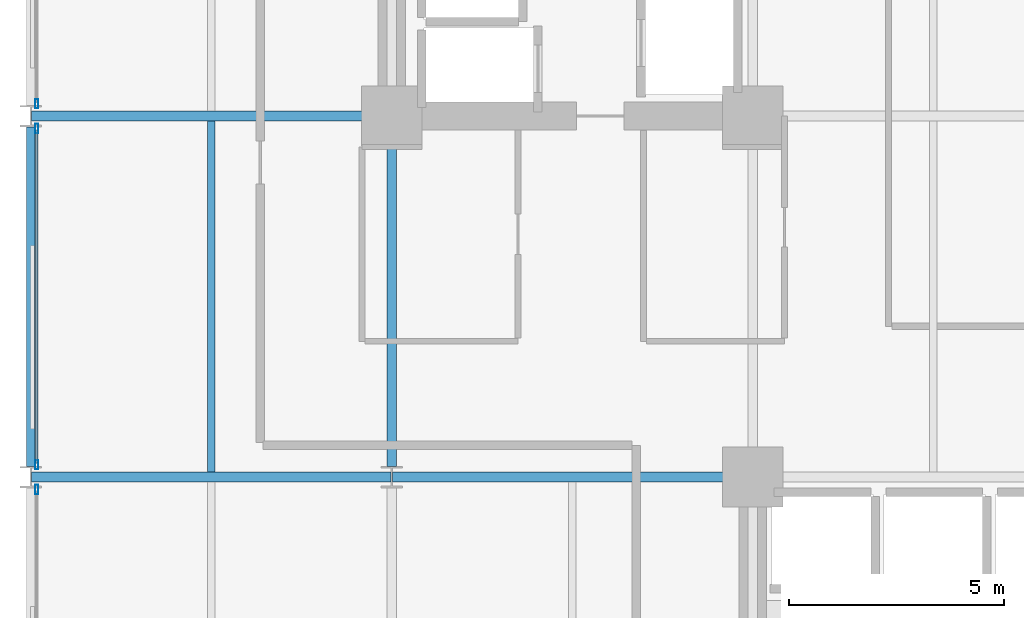
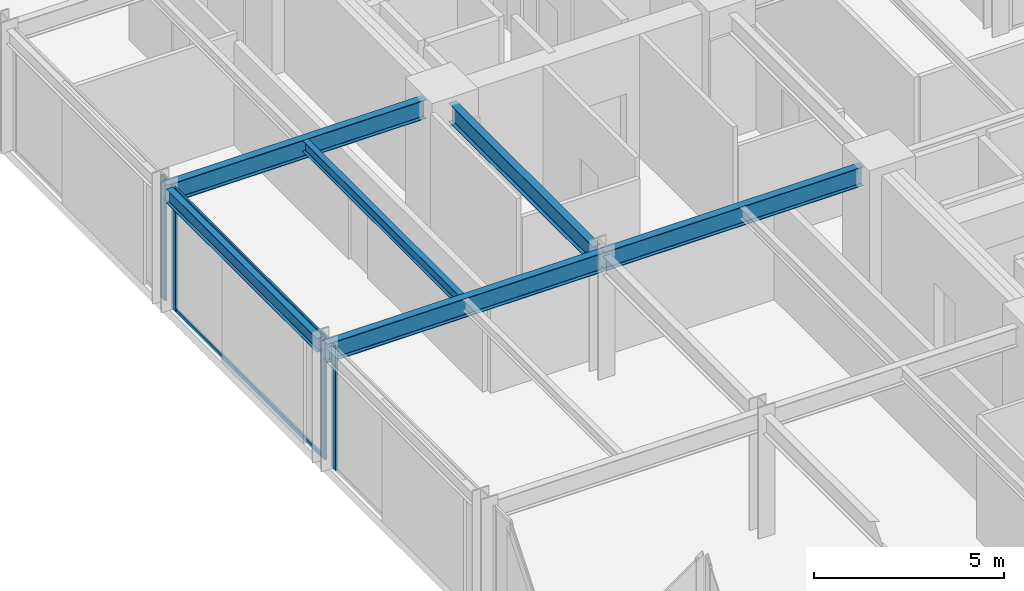
# One storey, part 6 of 25: 6 beams, 6 members, 3 elements without a shape of their own.
"""IFC4 building model written with IfcOpenShell, lengths in metres."""

from ifc_helpers import new_model, si_unit, direction, frame, origin, origin_2d, place, context, subcontext, project, spatial, hollow_rectangle, i_section, extrude, material, layer, layer_set, material_profile, profile_set, type_object, element, aggregate, save


model = new_model("IFC4")

# Units and contexts
model_context = context("Model", 3, precision=1e-05, world=origin(), true_north=direction((0.0, 1.0)))
body_context = subcontext(model_context, "Body", "Model", "MODEL_VIEW")
ifc_project = project(units=[si_unit("LENGTHUNIT", "METRE"), si_unit("AREAUNIT", "SQUARE_METRE"), si_unit("VOLUMEUNIT", "CUBIC_METRE"), si_unit("PLANEANGLEUNIT", "RADIAN"), si_unit("MASSUNIT", "GRAM", prefix="KILO")], contexts=[model_context])

# Site, building, storey
site_placement = place(None, origin())
site = spatial("IfcSite", under=ifc_project, at=site_placement, CompositionType="ELEMENT")
building_placement = place(site_placement, origin())
building = spatial("IfcBuilding", under=site, at=building_placement, Name="Nerrivon Quay Data Exchange", CompositionType="ELEMENT")
storey_placement = place(building_placement, frame((0.0, 0.0, 58.39990234375)))
storey = spatial("IfcBuildingStorey", under=building, at=storey_placement, Name="L13", CompositionType="ELEMENT", Elevation=58.39990234375)

# Beams
ifc_material_1 = material(Name="Steel Grade 350", Category="steel")
ifc_material_profile_1 = material_profile(ifc_material_1, i_section(OverallWidth=0.22900390625, OverallDepth=0.612060546875, WebThickness=0.011962890625, FlangeThickness=0.01953125, FilletRadius=0.013916015625, at=origin_2d()), Name="610UB125")
ifc_profile_set_1 = profile_set([ifc_material_profile_1], Name="Steel Grade 350")
beam_type_1 = type_object("IfcBeamType", Name="BM-G1-610UB125", PredefinedType="BEAM", material=ifc_profile_set_1)
beam_1_placement = place(storey_placement, frame((0.013916015625, 16.800048828125, 3.619140625), z_axis=(1.0, 0.0, 0.0), x_axis=(0.0, 1.0, 0.0)))
element("IfcBeam", 1, at=beam_1_placement, inside=storey, type_object=beam_type_1, Name="L13 EW Girder Y=16.8 (0.0..8.4)", PredefinedType="BEAM", context=body_context, shape_type="SweptSolid", body=[
    extrude(i_section(OverallWidth=0.22900390625, OverallDepth=0.612060546875, WebThickness=0.011962890625, FlangeThickness=0.01953125, FilletRadius=0.013916015625, at=origin_2d()), origin(), (0.0, 0.0, 1.0), 8.3720703125),
])
beam_2_placement = place(storey_placement, frame((8.4140625, 16.800048828125, 3.619140625), z_axis=(1.0, 0.0, 0.0), x_axis=(0.0, 1.0, 0.0)))
element("IfcBeam", 2, at=beam_2_placement, inside=storey, type_object=beam_type_1, Name="L13 EW Girder Y=16.8 (8.4..16.8)", PredefinedType="BEAM", context=body_context, shape_type="SweptSolid", body=[
    extrude(i_section(OverallWidth=0.22900390625, OverallDepth=0.612060546875, WebThickness=0.011962890625, FlangeThickness=0.01953125, FilletRadius=0.013916015625, at=origin_2d()), origin(), (0.0, 0.0, 1.0), 7.845947265625),
])
beam_3_placement = place(storey_placement, frame((0.013916015625, 25.199951171875, 3.619140625), z_axis=(1.0, 0.0, 0.0), x_axis=(0.0, 1.0, 0.0)))
element("IfcBeam", 3, at=beam_3_placement, inside=storey, type_object=beam_type_1, Name="L13 EW Girder Y=25.2 (0.0..8.4)", PredefinedType="BEAM", context=body_context, shape_type="SweptSolid", body=[
    extrude(i_section(OverallWidth=0.22900390625, OverallDepth=0.612060546875, WebThickness=0.011962890625, FlangeThickness=0.01953125, FilletRadius=0.013916015625, at=origin_2d()), origin(), (0.0, 0.0, 1.0), 7.84619140625),
])
ifc_material_profile_2 = material_profile(ifc_material_1, i_section(OverallWidth=0.22802734375, OverallDepth=0.60205078125, WebThickness=0.010498046875, FlangeThickness=0.014892578125, FilletRadius=0.013916015625, at=origin_2d()), Name="610UB101")
ifc_profile_set_2 = profile_set([ifc_material_profile_2], Name="Steel Grade 350")
beam_type_2 = type_object("IfcBeamType", Name="BM-G2-610UB101", PredefinedType="BEAM", material=ifc_profile_set_2)
beam_4_placement = place(storey_placement, frame((8.39990234375, 17.050048828125, 3.6240234375), z_axis=(0.0, 1.0, 0.0), x_axis=(-1.0, 0.0, 0.0)))
element("IfcBeam", 4, at=beam_4_placement, inside=storey, type_object=beam_type_2, Name="L13 NS Girder X=8.4 (16.8..25.2)", PredefinedType="BEAM", context=body_context, shape_type="SweptSolid", body=[
    extrude(i_section(OverallWidth=0.22802734375, OverallDepth=0.60205078125, WebThickness=0.010498046875, FlangeThickness=0.014892578125, FilletRadius=0.013916015625, at=origin_2d()), origin(), (0.0, 0.0, 1.0), 7.60986328125),
])
ifc_material_profile_3 = material_profile(ifc_material_1, i_section(OverallWidth=0.172119140625, OverallDepth=0.35888671875, WebThickness=0.008056640625, FlangeThickness=0.012939453125, FilletRadius=0.011474609375, at=origin_2d()), Name="360UB56.7")
ifc_profile_set_3 = profile_set([ifc_material_profile_3], Name="Steel Grade 350")
beam_type_3 = type_object("IfcBeamType", Name="BM-J3-360UB57", PredefinedType="JOIST", material=ifc_profile_set_3)
beam_5_placement = place(storey_placement, frame((4.199951171875, 16.91455078125, 3.74560546875), z_axis=(0.0, 1.0, 0.0), x_axis=(-1.0, 0.0, 0.0)))
element("IfcBeam", 5, at=beam_5_placement, inside=storey, type_object=beam_type_3, Name="L13 Secondary Joist X=4.2 (16.8..25.2)", PredefinedType="JOIST", context=body_context, shape_type="SweptSolid", body=[
    extrude(i_section(OverallWidth=0.172119140625, OverallDepth=0.35888671875, WebThickness=0.008056640625, FlangeThickness=0.012939453125, FilletRadius=0.011474609375, at=origin_2d()), origin(), (0.0, 0.0, 1.0), 8.1708984375),
])
ifc_material_profile_4 = material_profile(ifc_material_1, i_section(OverallWidth=0.18994140625, OverallDepth=0.4541015625, WebThickness=0.008544921875, FlangeThickness=0.0126953125, FilletRadius=0.011474609375, at=origin_2d()), Name="460UB67.1")
ifc_profile_set_4 = profile_set([ifc_material_profile_4], Name="Steel Grade 350")
beam_type_4 = type_object("IfcBeamType", Name="BM-SP1-460UB67", PredefinedType="SPANDREL", material=ifc_profile_set_4)
beam_6_placement = place(storey_placement, frame((0.0, 17.050048828125, 3.697998046875), z_axis=(0.0, 1.0, 0.0), x_axis=(-1.0, 0.0, 0.0)))
element("IfcBeam", 6, at=beam_6_placement, inside=storey, type_object=beam_type_4, Name="L13 NS Girder X=0.0 (16.8..25.2)", PredefinedType="SPANDREL", context=body_context, shape_type="SweptSolid", body=[
    extrude(i_section(OverallWidth=0.18994140625, OverallDepth=0.4541015625, WebThickness=0.008544921875, FlangeThickness=0.0126953125, FilletRadius=0.011474609375, at=origin_2d()), origin(), (0.0, 0.0, 1.0), 7.89990234375),
])

# Curtain wall, member
ifc_material_2 = material(Name="Anodised aluminium 6063-T6", Category="aluminium")
ifc_layer = layer(ifc_material_2, 0.219970703125)
ifc_layer_set = layer_set([ifc_layer], Name="Anodised aluminium 6063-T6")
curtain_wall_type = type_object("IfcCurtainWallType", Name="CW-SYS-01", PredefinedType="NOTDEFINED", material=ifc_layer_set)
curtain_wall_1_placement = place(storey_placement, origin())
curtain_wall_1 = element("IfcCurtainWall", 7, at=curtain_wall_1_placement, inside=storey, type_object=curtain_wall_type, Name="L13 Unitised Curtain Wall 14", PredefinedType="NOTDEFINED")
ifc_material_profile_5 = material_profile(ifc_material_2, hollow_rectangle(XDim=0.074951171875, YDim=0.219970703125, WallThickness=0.00390625, at=origin_2d()), Name="ALU-MULL-220x75")
ifc_profile_set_5 = profile_set([ifc_material_profile_5], Name="Anodised aluminium 6063-T6")
member_type_1 = type_object("IfcMemberType", Name="CWM-220x75", PredefinedType="MULLION", material=ifc_profile_set_5)
member_1_placement = place(storey_placement, frame((0.139892578125, 16.512451171875, 0.0), z_axis=(0.0, 0.0, 1.0), x_axis=(-1.0, 0.0, 0.0)))
member_1 = element("IfcMember", 8, at=member_1_placement, type_object=member_type_1, Name="CW01 mullion 2", PredefinedType="MULLION", context=body_context, shape_type="SweptSolid", body=[
    extrude(hollow_rectangle(XDim=0.074951171875, YDim=0.219970703125, WallThickness=0.00390625, at=origin_2d()), origin(), (0.0, 0.0, 1.0), 3.925048828125),
])
aggregate(curtain_wall_1, [member_1])

# Curtain wall, members
curtain_wall_2_placement = place(storey_placement, origin())
curtain_wall_2 = element("IfcCurtainWall", 9, at=curtain_wall_2_placement, inside=storey, type_object=curtain_wall_type, Name="L13 Unitised Curtain Wall 15", PredefinedType="NOTDEFINED")
member_2_placement = place(storey_placement, frame((0.139892578125, 17.08740234375, 0.0), z_axis=(0.0, 0.0, 1.0), x_axis=(-1.0, 0.0, 0.0)))
member_2 = element("IfcMember", 10, at=member_2_placement, type_object=member_type_1, Name="CW01 mullion 1", PredefinedType="MULLION", context=body_context, shape_type="SweptSolid", body=[
    extrude(hollow_rectangle(XDim=0.074951171875, YDim=0.219970703125, WallThickness=0.00390625, at=origin_2d()), origin(), (0.0, 0.0, 1.0), 3.925048828125),
])
member_3_placement = place(storey_placement, frame((0.139892578125, 24.91259765625, 0.0), z_axis=(0.0, 0.0, 1.0), x_axis=(-1.0, 0.0, 0.0)))
member_3 = element("IfcMember", 11, at=member_3_placement, type_object=member_type_1, Name="CW01 mullion 2", PredefinedType="MULLION", context=body_context, shape_type="SweptSolid", body=[
    extrude(hollow_rectangle(XDim=0.074951171875, YDim=0.219970703125, WallThickness=0.00390625, at=origin_2d()), origin(), (0.0, 0.0, 1.0), 3.925048828125),
])

# Curtain wall, member
curtain_wall_3_placement = place(storey_placement, origin())
curtain_wall_3 = element("IfcCurtainWall", 12, at=curtain_wall_3_placement, inside=storey, type_object=curtain_wall_type, Name="L13 Unitised Curtain Wall 16", PredefinedType="NOTDEFINED")
member_4_placement = place(storey_placement, frame((0.139892578125, 25.487548828125, 0.0), z_axis=(0.0, 0.0, 1.0), x_axis=(-1.0, 0.0, 0.0)))
member_4 = element("IfcMember", 13, at=member_4_placement, type_object=member_type_1, Name="CW01 mullion 1", PredefinedType="MULLION", context=body_context, shape_type="SweptSolid", body=[
    extrude(hollow_rectangle(XDim=0.074951171875, YDim=0.219970703125, WallThickness=0.00390625, at=origin_2d()), origin(), (0.0, 0.0, 1.0), 3.925048828125),
])
aggregate(curtain_wall_3, [member_4])

# Member
ifc_material_profile_6 = material_profile(ifc_material_2, hollow_rectangle(XDim=0.06005859375, YDim=0.1201171875, WallThickness=0.003173828125, at=origin_2d()), Name="ALU-TRAN-120x60")
ifc_profile_set_6 = profile_set([ifc_material_profile_6], Name="Anodised aluminium 6063-T6")
member_type_2 = type_object("IfcMemberType", Name="CWT-120x60", PredefinedType="USERDEFINED", material=ifc_profile_set_6)
member_5_placement = place(storey_placement, frame((0.139892578125, 17.125, 0.03271484375), z_axis=(0.0, 1.0, 0.0), x_axis=(-1.0, 0.0, 0.0)))
member_5 = element("IfcMember", 14, at=member_5_placement, type_object=member_type_2, Name="CW01 transom 1.1", ObjectType="TRANSOM", PredefinedType="USERDEFINED", context=body_context, shape_type="SweptSolid", body=[
    extrude(hollow_rectangle(XDim=0.06005859375, YDim=0.1201171875, WallThickness=0.003173828125, at=origin_2d()), origin(), (0.0, 0.0, 1.0), 7.75),
])

member_6_placement = place(storey_placement, frame((0.139892578125, 17.125, 3.892578125), z_axis=(0.0, 1.0, 0.0), x_axis=(-1.0, 0.0, 0.0)))
member_6 = element("IfcMember", 15, at=member_6_placement, type_object=member_type_2, Name="CW01 transom 1.2", ObjectType="TRANSOM", PredefinedType="USERDEFINED", context=body_context, shape_type="SweptSolid", body=[
    extrude(hollow_rectangle(XDim=0.06005859375, YDim=0.1201171875, WallThickness=0.003173828125, at=origin_2d()), origin(), (0.0, 0.0, 1.0), 7.75),
])

aggregate(curtain_wall_2, [member_2, member_3, member_5, member_6])

save(model, "model.ifc")
